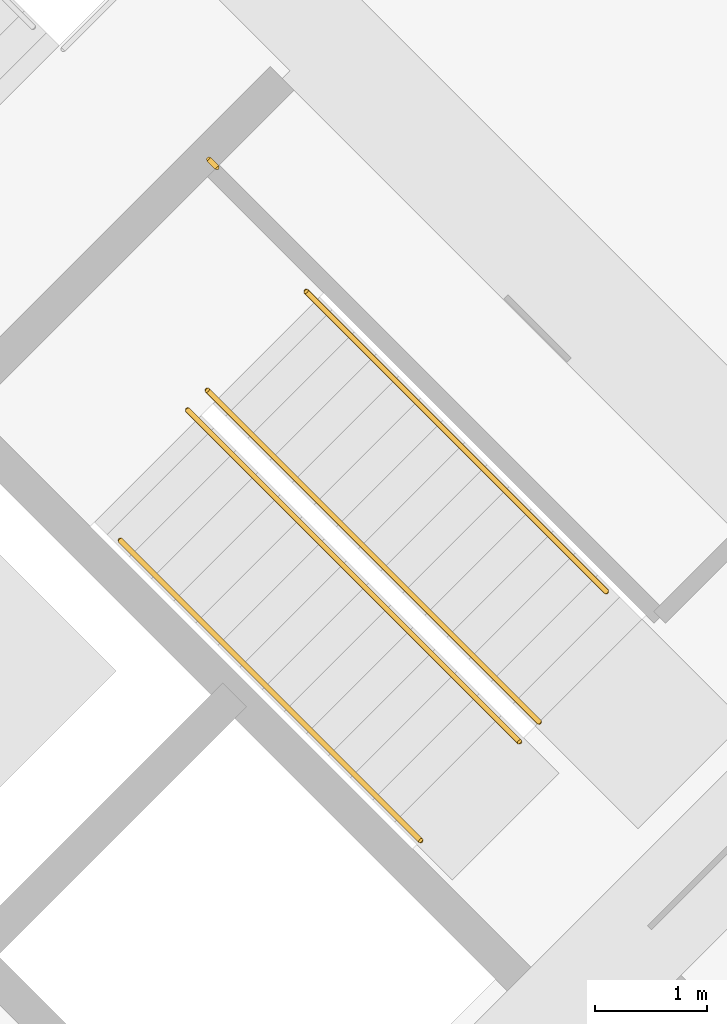
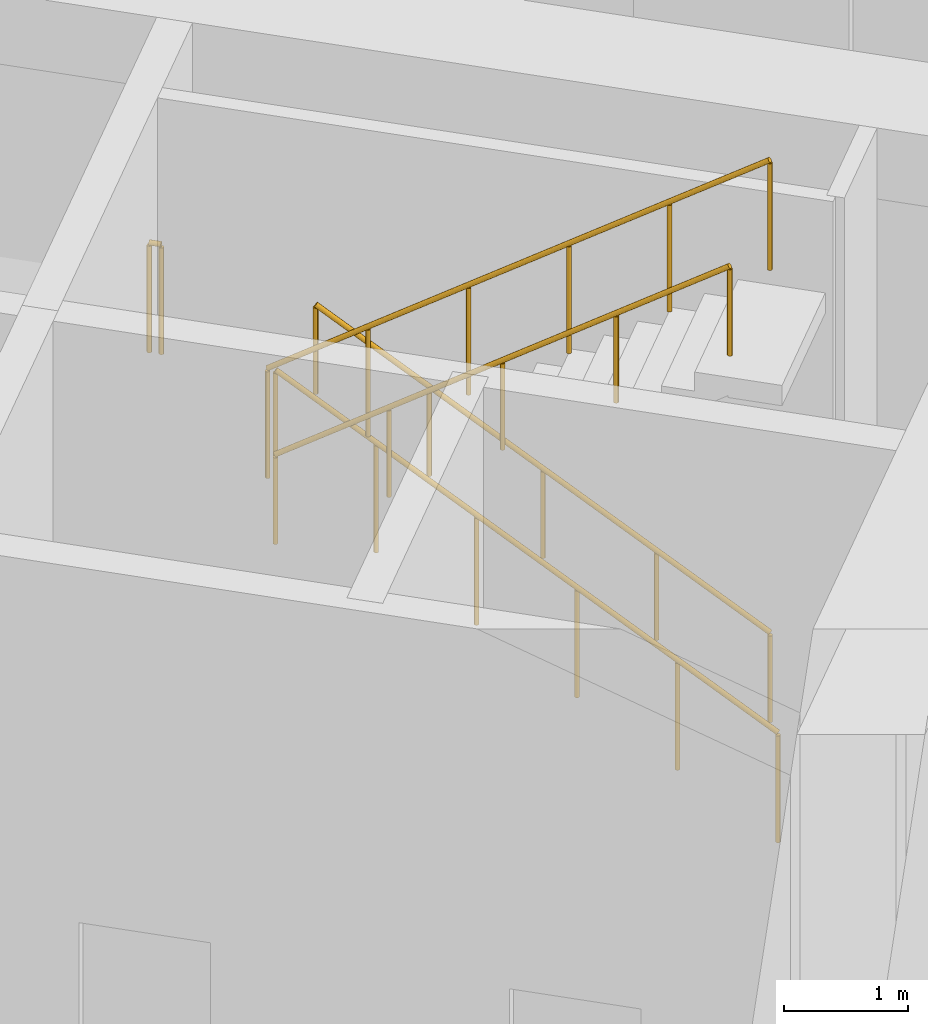
# One storey, part 13 of 15: 5 railings.
"""IFC4 building model written with IfcOpenShell, lengths in metres."""

from ifc_helpers import new_model, si_unit, direction, frame, origin, origin_2d, place, context, subcontext, project, spatial, circle, extrude, material, type_object, element, save


model = new_model("IFC4")

# Units and contexts
model_context = context("Model", 3, precision=1e-05, world=origin(), true_north=direction((0.0, 1.0)))
body_context = subcontext(model_context, "Body", "Model", "MODEL_VIEW")
ifc_project = project(units=[si_unit("LENGTHUNIT", "METRE"), si_unit("AREAUNIT", "SQUARE_METRE"), si_unit("VOLUMEUNIT", "CUBIC_METRE"), si_unit("PLANEANGLEUNIT", "RADIAN"), si_unit("MASSUNIT", "GRAM", prefix="KILO")], contexts=[model_context])

# Site, building, storey
site_placement = place(None, origin())
site = spatial("IfcSite", under=ifc_project, at=site_placement, CompositionType="ELEMENT")
building_placement = place(site_placement, origin())
building = spatial("IfcBuilding", under=site, at=building_placement, Name="Windrow Commons", CompositionType="ELEMENT")
storey_placement = place(building_placement, origin())
storey = spatial("IfcBuildingStorey", under=building, at=storey_placement, Name="L00", CompositionType="ELEMENT", Elevation=0.0)

# Railings
ifc_material_1 = material(Name="Steel S355", Category="steel")
railing_type_1 = type_object("IfcRailingType", Name="Core stair guard 1100", PredefinedType="GUARDRAIL", material=ifc_material_1)
railing_1_placement = place(storey_placement, frame((94.2296, 48.4215, 0.1875)))
element("IfcRailing", 1, at=railing_1_placement, inside=storey, type_object=railing_type_1, Name="L00 ST-B2 stair guard 1", PredefinedType="GUARDRAIL", context=body_context, shape_type="SweptSolid", body=[
    extrude(circle(Radius=0.024, at=origin_2d()), frame((0.0, 0.0, 1.076), z_axis=(-0.5875432548, 0.5875432548, 0.5564043921), x_axis=(-0.7071067812, -0.7071067812, 0.0)), (0.0, 0.0, 1.0), 5.0548),
    extrude(circle(Radius=0.021, at=origin_2d()), origin(), (0.0, 0.0, 1.0), 1.052),
    extrude(circle(Radius=0.021, at=origin_2d()), frame((-0.594, 0.594, 0.5625)), (0.0, 0.0, 1.0), 1.052),
    extrude(circle(Radius=0.021, at=origin_2d()), frame((-1.188, 1.188, 1.125)), (0.0, 0.0, 1.0), 1.052),
    extrude(circle(Radius=0.021, at=origin_2d()), frame((-1.7819, 1.7819, 1.6875)), (0.0, 0.0, 1.0), 1.052),
    extrude(circle(Radius=0.021, at=origin_2d()), frame((-2.3759, 2.3759, 2.25)), (0.0, 0.0, 1.0), 1.052),
    extrude(circle(Radius=0.021, at=origin_2d()), frame((-2.9699, 2.9699, 2.8125)), (0.0, 0.0, 1.0), 1.052),
])
railing_2_placement = place(storey_placement, frame((91.0829, 51.2146, 3.1875)))
element("IfcRailing", 2, at=railing_2_placement, inside=storey, type_object=railing_type_1, Name="L00 ST-B2 stair guard 2", PredefinedType="GUARDRAIL", context=body_context, shape_type="SweptSolid", body=[
    extrude(circle(Radius=0.024, at=origin_2d()), frame((0.0, 0.0, 1.076), z_axis=(0.5875432548, -0.5875432548, 0.5564043921), x_axis=(0.7071067812, 0.7071067812, 0.0)), (0.0, 0.0, 1.0), 5.0548),
    extrude(circle(Radius=0.021, at=origin_2d()), origin(), (0.0, 0.0, 1.0), 1.052),
    extrude(circle(Radius=0.021, at=origin_2d()), frame((0.594, -0.594, 0.5625)), (0.0, 0.0, 1.0), 1.052),
    extrude(circle(Radius=0.021, at=origin_2d()), frame((1.188, -1.188, 1.125)), (0.0, 0.0, 1.0), 1.052),
    extrude(circle(Radius=0.021, at=origin_2d()), frame((1.7819, -1.7819, 1.6875)), (0.0, 0.0, 1.0), 1.052),
    extrude(circle(Radius=0.021, at=origin_2d()), frame((2.3759, -2.3759, 2.25)), (0.0, 0.0, 1.0), 1.052),
    extrude(circle(Radius=0.021, at=origin_2d()), frame((2.9699, -2.9699, 2.8125)), (0.0, 0.0, 1.0), 1.052),
])
railing_3_placement = place(storey_placement, frame((91.3446, 53.3854, 3.0)))
element("IfcRailing", 3, at=railing_3_placement, inside=storey, type_object=railing_type_1, Name="L00 ST-B2 stair guard 3", PredefinedType="GUARDRAIL", context=body_context, shape_type="SweptSolid", body=[
    extrude(circle(Radius=0.024, at=origin_2d()), frame((0.0, 0.0, 1.076), z_axis=(-0.7076063266, 0.7066068826, 0.0), x_axis=(-0.7066068826, -0.7076063266, 0.0)), (0.0, 0.0, 1.0), 0.1001),
    extrude(circle(Radius=0.021, at=origin_2d()), origin(), (0.0, 0.0, 1.0), 1.052),
    extrude(circle(Radius=0.021, at=origin_2d()), frame((-0.0708, 0.0707, 0.0)), (0.0, 0.0, 1.0), 1.052),
])
ifc_material_2 = material(Name="Steel S355", Category="steel")
railing_type_2 = type_object("IfcRailingType", Name="Core stair handrail 900", PredefinedType="HANDRAIL", material=ifc_material_2)
railing_4_placement = place(storey_placement, frame((94.8306, 49.5883, 0.4554)))
element("IfcRailing", 4, at=railing_4_placement, inside=storey, type_object=railing_type_2, Name="L00 ST-B2 stair handrail 1", PredefinedType="HANDRAIL", context=body_context, shape_type="SweptSolid", body=[
    extrude(circle(Radius=0.024, at=origin_2d()), frame((0.0, 0.0, 0.876), z_axis=(-0.5875427724, 0.5875427724, 0.5564054108), x_axis=(-0.7071067812, -0.7071067812, 0.0)), (0.0, 0.0, 1.0), 4.5733),
    extrude(circle(Radius=0.021, at=origin_2d()), origin(), (0.0, 0.0, 1.0), 0.852),
    extrude(circle(Radius=0.021, at=origin_2d()), frame((-0.6717, 0.6718, 0.6361)), (0.0, 0.0, 1.0), 0.852),
    extrude(circle(Radius=0.021, at=origin_2d()), frame((-1.3435, 1.3435, 1.2723)), (0.0, 0.0, 1.0), 0.852),
    extrude(circle(Radius=0.021, at=origin_2d()), frame((-2.0152, 2.0153, 1.9084)), (0.0, 0.0, 1.0), 0.852),
    extrude(circle(Radius=0.021, at=origin_2d()), frame((-2.687, 2.687, 2.5446)), (0.0, 0.0, 1.0), 0.852),
])
railing_5_placement = place(storey_placement, frame((90.4819, 50.0479, 3.4554)))
element("IfcRailing", 5, at=railing_5_placement, inside=storey, type_object=railing_type_2, Name="L00 ST-B2 stair handrail 2", PredefinedType="HANDRAIL", context=body_context, shape_type="SweptSolid", body=[
    extrude(circle(Radius=0.024, at=origin_2d()), frame((0.0, 0.0, 0.876), z_axis=(0.5875427724, -0.5875427724, 0.5564054108), x_axis=(0.7071067812, 0.7071067812, 0.0)), (0.0, 0.0, 1.0), 4.5733),
    extrude(circle(Radius=0.021, at=origin_2d()), origin(), (0.0, 0.0, 1.0), 0.852),
    extrude(circle(Radius=0.021, at=origin_2d()), frame((0.6717, -0.6717, 0.6361)), (0.0, 0.0, 1.0), 0.852),
    extrude(circle(Radius=0.021, at=origin_2d()), frame((1.3435, -1.3435, 1.2723)), (0.0, 0.0, 1.0), 0.852),
    extrude(circle(Radius=0.021, at=origin_2d()), frame((2.0152, -2.0152, 1.9084)), (0.0, 0.0, 1.0), 0.852),
    extrude(circle(Radius=0.021, at=origin_2d()), frame((2.687, -2.687, 2.5446)), (0.0, 0.0, 1.0), 0.852),
])

save(model, "model.ifc")
